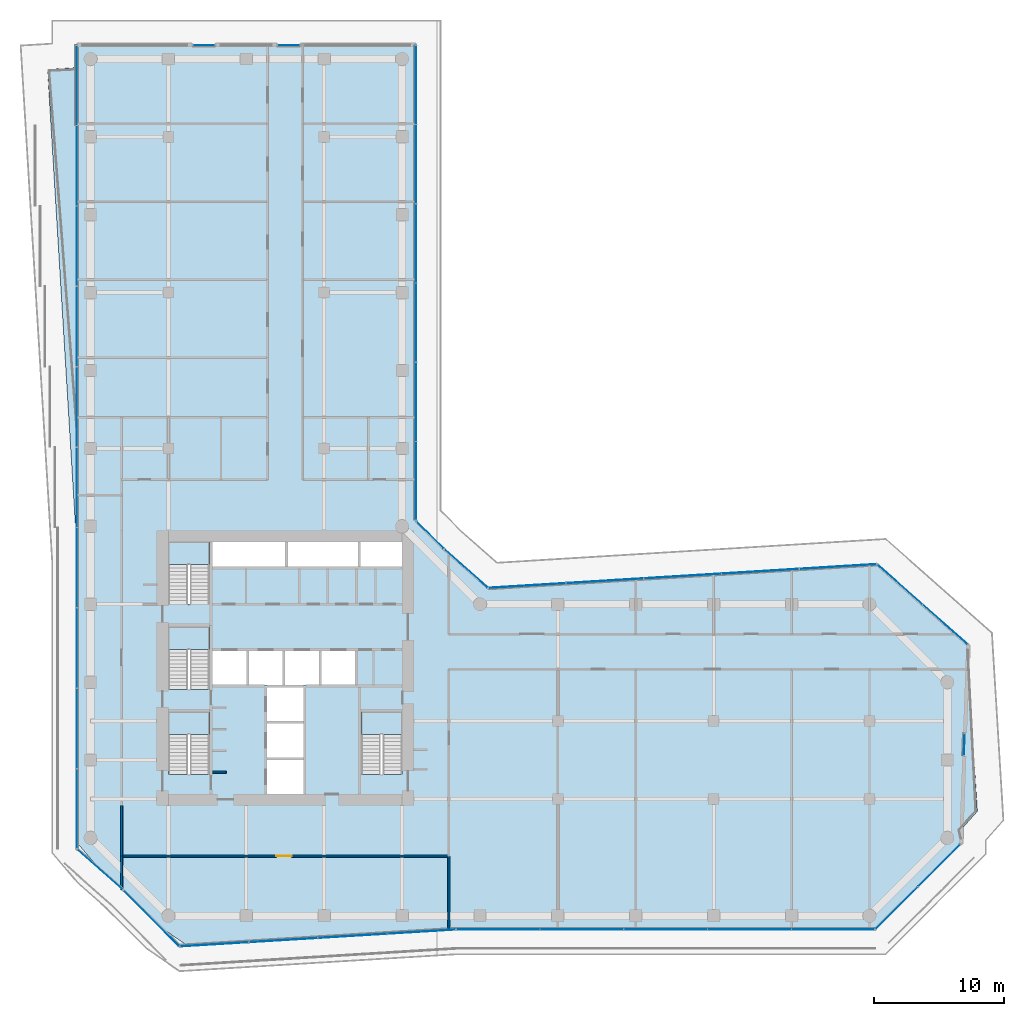
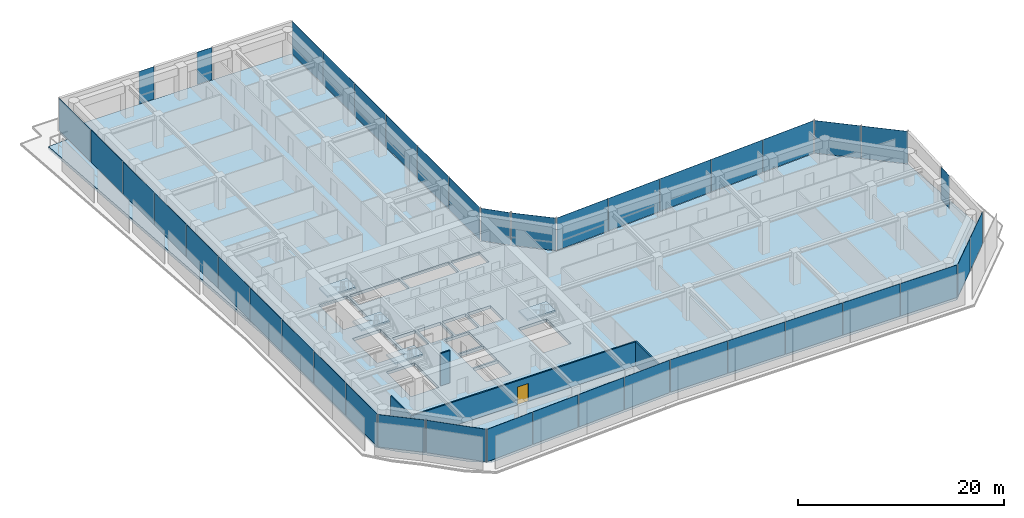
# One storey, part 22 of 29: 41 plates, 5 slabs, 5 walls, 1 door, 1 opening, 18 elements without a shape of their own.
"""IFC4 building model written with IfcOpenShell, lengths in metres."""

from ifc_helpers import new_model, si_unit, direction, frame, frame_2d, origin, origin_2d, place, context, subcontext, project, spatial, polyline, rectangle, outline, extrude, material, layer, layer_set, type_object, element, fill, aggregate, save


model = new_model("IFC4")

# Units and contexts
model_context = context("Model", 3, precision=1e-05, world=origin(), true_north=direction((0.0, 1.0)))
body_context = subcontext(model_context, "Body", "Model", "MODEL_VIEW")
ifc_project = project(units=[si_unit("LENGTHUNIT", "METRE"), si_unit("AREAUNIT", "SQUARE_METRE"), si_unit("VOLUMEUNIT", "CUBIC_METRE"), si_unit("PLANEANGLEUNIT", "RADIAN"), si_unit("MASSUNIT", "GRAM", prefix="KILO")], contexts=[model_context])

# Site, building, storey
site_placement = place(None, origin())
site = spatial("IfcSite", under=ifc_project, at=site_placement, CompositionType="ELEMENT")
building_placement = place(site_placement, origin())
building = spatial("IfcBuilding", under=site, at=building_placement, Name="Welwitschia Terrace Campus", CompositionType="ELEMENT")
storey_placement = place(building_placement, frame((0.0, 0.0, 66.800048828125)))
storey = spatial("IfcBuildingStorey", under=building, at=storey_placement, Name="L15", CompositionType="ELEMENT", Elevation=66.800048828125)

# Curtain wall, plate
ifc_material_1 = material(Name="Bronze anodised aluminium", Category="aluminium")
ifc_layer_1 = layer(ifc_material_1, 0.1201171875)
ifc_layer_set_1 = layer_set([ifc_layer_1], Name="Bronze anodised aluminium")
curtain_wall_type = type_object("IfcCurtainWallType", Name="Curtain wall CW2 tower 6000", PredefinedType="NOTDEFINED", material=ifc_layer_set_1)
curtain_wall_1_placement = place(storey_placement, origin())
curtain_wall_1 = element("IfcCurtainWall", 1, at=curtain_wall_1_placement, inside=storey, type_object=curtain_wall_type, Name="CW L15.0.0", PredefinedType="NOTDEFINED")
ifc_material_2 = material(Name="Tinted bronze-grey glass", Category="glass")
ifc_layer_2 = layer(ifc_material_2, 0.028076171875)
ifc_layer_set_2 = layer_set([ifc_layer_2], Name="Tinted bronze-grey glass")
plate_type = type_object("IfcPlateType", Name="Glass panel 28 tinted", PredefinedType="CURTAIN_PANEL", material=ifc_layer_set_2)
plate_1_placement = place(storey_placement, frame((0.732666015625, -0.435302734375, 0.0), z_axis=(0.0, 0.0, 1.0), x_axis=(0.748955720789, -0.662620048216, 0.0)))
plate_1 = element("IfcPlate", 2, at=plate_1_placement, type_object=plate_type, Name="Panel L15.0.0.0", PredefinedType="CURTAIN_PANEL", context=body_context, shape_type="SweptSolid", body=[
    extrude(rectangle(XDim=4.661865234375, YDim=0.028076171875, at=origin_2d()), origin(), (0.0, 0.0, 1.0), 3.85009765625),
])
aggregate(curtain_wall_1, [plate_1])

curtain_wall_2_placement = place(storey_placement, origin())
curtain_wall_2 = element("IfcCurtainWall", 3, at=curtain_wall_2_placement, inside=storey, type_object=curtain_wall_type, Name="CW L15.1.0", PredefinedType="NOTDEFINED")
plate_2_placement = place(storey_placement, frame((4.694091796875, -4.190185546875, 0.0), z_axis=(0.0, 0.0, 1.0), x_axis=(0.707106781187, -0.707106781187, 0.0)))
plate_2 = element("IfcPlate", 4, at=plate_2_placement, type_object=plate_type, Name="Panel L15.1.0.0", PredefinedType="CURTAIN_PANEL", context=body_context, shape_type="SweptSolid", body=[
    extrude(rectangle(XDim=6.019287109375, YDim=0.028076171875, at=origin_2d()), origin(), (0.0, 0.0, 1.0), 3.85009765625),
])
aggregate(curtain_wall_2, [plate_2])

# Curtain wall, plates
curtain_wall_3_placement = place(storey_placement, origin())
curtain_wall_3 = element("IfcCurtainWall", 5, at=curtain_wall_3_placement, inside=storey, type_object=curtain_wall_type, Name="CW L15.2.0", PredefinedType="NOTDEFINED")
plate_3_placement = place(storey_placement, frame((9.5419921875, -6.197021484375, 0.0), z_axis=(0.0, 0.0, 1.0), x_axis=(0.998134798422, 0.061048539535, 0.0)))
plate_3 = element("IfcPlate", 6, at=plate_3_placement, type_object=plate_type, Name="Panel L15.2.0.0", PredefinedType="CURTAIN_PANEL", context=body_context, shape_type="SweptSolid", body=[
    extrude(rectangle(XDim=5.2451171875, YDim=0.028076171875, at=origin_2d()), origin(), (0.0, 0.0, 1.0), 3.85009765625),
])
plate_4_placement = place(storey_placement, frame((14.852294921875, -5.872314453125, 0.0), z_axis=(0.0, 0.0, 1.0), x_axis=(0.998134798422, 0.061048539535, 0.0)))
plate_4 = element("IfcPlate", 7, at=plate_4_placement, type_object=plate_type, Name="Panel L15.2.0.1", PredefinedType="CURTAIN_PANEL", context=body_context, shape_type="SweptSolid", body=[
    extrude(rectangle(XDim=5.275146484375, YDim=0.028076171875, at=origin_2d()), origin(), (0.0, 0.0, 1.0), 3.85009765625),
])
plate_5_placement = place(storey_placement, frame((20.17724609375, -5.546630859375, 0.0), z_axis=(0.0, 0.0, 1.0), x_axis=(0.998134798422, 0.061048539535, 0.0)))
plate_5 = element("IfcPlate", 8, at=plate_5_placement, type_object=plate_type, Name="Panel L15.2.0.2", PredefinedType="CURTAIN_PANEL", context=body_context, shape_type="SweptSolid", body=[
    extrude(rectangle(XDim=5.275146484375, YDim=0.028076171875, at=origin_2d()), origin(), (0.0, 0.0, 1.0), 3.85009765625),
])
plate_6_placement = place(storey_placement, frame((25.487548828125, -5.2216796875, 0.0), z_axis=(0.0, 0.0, 1.0), x_axis=(0.998134798422, 0.061048539535, 0.0)))
plate_6 = element("IfcPlate", 9, at=plate_6_placement, type_object=plate_type, Name="Panel L15.2.0.3", PredefinedType="CURTAIN_PANEL", context=body_context, shape_type="SweptSolid", body=[
    extrude(rectangle(XDim=5.2451171875, YDim=0.028076171875, at=origin_2d()), origin(), (0.0, 0.0, 1.0), 3.85009765625),
])
aggregate(curtain_wall_3, [plate_3, plate_4, plate_5, plate_6])

curtain_wall_4_placement = place(storey_placement, origin())
curtain_wall_4 = element("IfcCurtainWall", 10, at=curtain_wall_4_placement, inside=storey, type_object=curtain_wall_type, Name="CW L15.3.0", PredefinedType="NOTDEFINED")
plate_7_placement = place(storey_placement, frame((31.4072265625, -5.05810546875, 0.0), z_axis=(0.0, 0.0, 1.0), x_axis=(1.0, 0.0, 0.0)))
plate_7 = element("IfcPlate", 11, at=plate_7_placement, type_object=plate_type, Name="Panel L15.3.0.0", PredefinedType="CURTAIN_PANEL", context=body_context, shape_type="SweptSolid", body=[
    extrude(rectangle(XDim=6.36474609375, YDim=0.028076171875, at=origin_2d()), origin(), (0.0, 0.0, 1.0), 3.85009765625),
])
plate_8_placement = place(storey_placement, frame((37.846923828125, -5.05810546875, 0.0), z_axis=(0.0, 0.0, 1.0), x_axis=(1.0, 0.0, 0.0)))
plate_8 = element("IfcPlate", 12, at=plate_8_placement, type_object=plate_type, Name="Panel L15.3.0.1", PredefinedType="CURTAIN_PANEL", context=body_context, shape_type="SweptSolid", body=[
    extrude(rectangle(XDim=6.39453125, YDim=0.028076171875, at=origin_2d()), origin(), (0.0, 0.0, 1.0), 3.85009765625),
])
plate_9_placement = place(storey_placement, frame((44.301513671875, -5.05810546875, 0.0), z_axis=(0.0, 0.0, 1.0), x_axis=(1.0, 0.0, 0.0)))
plate_9 = element("IfcPlate", 13, at=plate_9_placement, type_object=plate_type, Name="Panel L15.3.0.2", PredefinedType="CURTAIN_PANEL", context=body_context, shape_type="SweptSolid", body=[
    extrude(rectangle(XDim=6.39453125, YDim=0.028076171875, at=origin_2d()), origin(), (0.0, 0.0, 1.0), 3.85009765625),
])
plate_10_placement = place(storey_placement, frame((50.75634765625, -5.05810546875, 0.0), z_axis=(0.0, 0.0, 1.0), x_axis=(1.0, 0.0, 0.0)))
plate_10 = element("IfcPlate", 14, at=plate_10_placement, type_object=plate_type, Name="Panel L15.3.0.3", PredefinedType="CURTAIN_PANEL", context=body_context, shape_type="SweptSolid", body=[
    extrude(rectangle(XDim=6.39453125, YDim=0.028076171875, at=origin_2d()), origin(), (0.0, 0.0, 1.0), 3.85009765625),
])
plate_11_placement = place(storey_placement, frame((57.19580078125, -5.05810546875, 0.0), z_axis=(0.0, 0.0, 1.0), x_axis=(1.0, 0.0, 0.0)))
plate_11 = element("IfcPlate", 15, at=plate_11_placement, type_object=plate_type, Name="Panel L15.3.0.4", PredefinedType="CURTAIN_PANEL", context=body_context, shape_type="SweptSolid", body=[
    extrude(rectangle(XDim=6.36474609375, YDim=0.028076171875, at=origin_2d()), origin(), (0.0, 0.0, 1.0), 3.85009765625),
])
aggregate(curtain_wall_4, [plate_7, plate_8, plate_9, plate_10, plate_11])

curtain_wall_5_placement = place(storey_placement, origin())
curtain_wall_5 = element("IfcCurtainWall", 16, at=curtain_wall_5_placement, inside=storey, type_object=curtain_wall_type, Name="CW L15.4.0", PredefinedType="NOTDEFINED")
plate_12_placement = place(storey_placement, frame((62.094482421875, -3.40185546875, 0.0), z_axis=(0.0, 0.0, 1.0), x_axis=(0.707106781187, 0.707106781187, 0.0)))
plate_12 = element("IfcPlate", 17, at=plate_12_placement, type_object=plate_type, Name="Panel L15.4.0.0", PredefinedType="CURTAIN_PANEL", context=body_context, shape_type="SweptSolid", body=[
    extrude(rectangle(XDim=4.564208984375, YDim=0.028076171875, at=origin_2d()), origin(), (0.0, 0.0, 1.0), 3.85009765625),
])
plate_13_placement = place(storey_placement, frame((65.3642578125, -0.132080078125, 0.0), z_axis=(0.0, 0.0, 1.0), x_axis=(0.707106781187, 0.707106781187, 0.0)))
plate_13 = element("IfcPlate", 18, at=plate_13_placement, type_object=plate_type, Name="Panel L15.4.0.1", PredefinedType="CURTAIN_PANEL", context=body_context, shape_type="SweptSolid", body=[
    extrude(rectangle(XDim=4.564208984375, YDim=0.028076171875, at=origin_2d()), origin(), (0.0, 0.0, 1.0), 3.85009765625),
])
aggregate(curtain_wall_5, [plate_12, plate_13])

# Curtain wall, plate
curtain_wall_6_placement = place(storey_placement, origin())
curtain_wall_6 = element("IfcCurtainWall", 19, at=curtain_wall_6_placement, inside=storey, type_object=curtain_wall_type, Name="CW L15.5.S0", PredefinedType="NOTDEFINED")
plate_14_placement = place(storey_placement, frame((67.302734375, 9.204833984375, 0.0), z_axis=(0.0, 0.0, 1.0), x_axis=(0.036728896275, 0.999325266457, 0.0)))
plate_14 = element("IfcPlate", 20, at=plate_14_placement, type_object=plate_type, Name="Panel L15.5.S0.0", PredefinedType="CURTAIN_PANEL", context=body_context, shape_type="SweptSolid", body=[
    extrude(rectangle(XDim=1.679931640625, YDim=0.028076171875, at=origin_2d()), origin(), (0.0, 0.0, 1.0), 3.85009765625),
])
aggregate(curtain_wall_6, [plate_14])

# Curtain wall, plates
curtain_wall_7_placement = place(storey_placement, origin())
curtain_wall_7 = element("IfcCurtainWall", 21, at=curtain_wall_7_placement, inside=storey, type_object=curtain_wall_type, Name="CW L15.6.0", PredefinedType="NOTDEFINED")
plate_15_placement = place(storey_placement, frame((65.82080078125, 18.446533203125, 0.0), z_axis=(0.0, 0.0, 1.0), x_axis=(-0.748955720789, 0.662620048216, 0.0)))
plate_15 = element("IfcPlate", 22, at=plate_15_placement, type_object=plate_type, Name="Panel L15.6.0.0", PredefinedType="CURTAIN_PANEL", context=body_context, shape_type="SweptSolid", body=[
    extrude(rectangle(XDim=4.5908203125, YDim=0.028076171875, at=origin_2d()), origin(), (0.0, 0.0, 1.0), 3.85009765625),
])
plate_16_placement = place(storey_placement, frame((62.33740234375, 21.5283203125, 0.0), z_axis=(0.0, 0.0, 1.0), x_axis=(-0.748955720789, 0.662620048216, 0.0)))
plate_16 = element("IfcPlate", 23, at=plate_16_placement, type_object=plate_type, Name="Panel L15.6.0.1", PredefinedType="CURTAIN_PANEL", context=body_context, shape_type="SweptSolid", body=[
    extrude(rectangle(XDim=4.5908203125, YDim=0.028076171875, at=origin_2d()), origin(), (0.0, 0.0, 1.0), 3.85009765625),
])
aggregate(curtain_wall_7, [plate_15, plate_16])

curtain_wall_8_placement = place(storey_placement, origin())
curtain_wall_8 = element("IfcCurtainWall", 24, at=curtain_wall_8_placement, inside=storey, type_object=curtain_wall_type, Name="CW L15.7.0", PredefinedType="NOTDEFINED")
plate_17_placement = place(storey_placement, frame((57.56396484375, 22.905029296875, 0.0), z_axis=(0.0, 0.0, 1.0), x_axis=(-0.998134798422, -0.061048539535, 0.0)))
plate_17 = element("IfcPlate", 25, at=plate_17_placement, type_object=plate_type, Name="Panel L15.7.0.0", PredefinedType="CURTAIN_PANEL", context=body_context, shape_type="SweptSolid", body=[
    extrude(rectangle(XDim=5.909912109375, YDim=0.028076171875, at=origin_2d()), origin(), (0.0, 0.0, 1.0), 3.85009765625),
])
plate_18_placement = place(storey_placement, frame((51.590087890625, 22.53955078125, 0.0), z_axis=(0.0, 0.0, 1.0), x_axis=(-0.998134798422, -0.061048539535, 0.0)))
plate_18 = element("IfcPlate", 26, at=plate_18_placement, type_object=plate_type, Name="Panel L15.7.0.1", PredefinedType="CURTAIN_PANEL", context=body_context, shape_type="SweptSolid", body=[
    extrude(rectangle(XDim=5.93994140625, YDim=0.028076171875, at=origin_2d()), origin(), (0.0, 0.0, 1.0), 3.85009765625),
])
plate_19_placement = place(storey_placement, frame((45.601318359375, 22.17333984375, 0.0), z_axis=(0.0, 0.0, 1.0), x_axis=(-0.998134798422, -0.061048539535, 0.0)))
plate_19 = element("IfcPlate", 27, at=plate_19_placement, type_object=plate_type, Name="Panel L15.7.0.2", PredefinedType="CURTAIN_PANEL", context=body_context, shape_type="SweptSolid", body=[
    extrude(rectangle(XDim=5.93994140625, YDim=0.028076171875, at=origin_2d()), origin(), (0.0, 0.0, 1.0), 3.85009765625),
])
plate_20_placement = place(storey_placement, frame((39.612548828125, 21.806884765625, 0.0), z_axis=(0.0, 0.0, 1.0), x_axis=(-0.998134798422, -0.061048539535, 0.0)))
plate_20 = element("IfcPlate", 28, at=plate_20_placement, type_object=plate_type, Name="Panel L15.7.0.3", PredefinedType="CURTAIN_PANEL", context=body_context, shape_type="SweptSolid", body=[
    extrude(rectangle(XDim=5.93994140625, YDim=0.028076171875, at=origin_2d()), origin(), (0.0, 0.0, 1.0), 3.85009765625),
])
plate_21_placement = place(storey_placement, frame((33.638671875, 21.441650390625, 0.0), z_axis=(0.0, 0.0, 1.0), x_axis=(-0.998134798422, -0.061048539535, 0.0)))
plate_21 = element("IfcPlate", 29, at=plate_21_placement, type_object=plate_type, Name="Panel L15.7.0.4", PredefinedType="CURTAIN_PANEL", context=body_context, shape_type="SweptSolid", body=[
    extrude(rectangle(XDim=5.909912109375, YDim=0.028076171875, at=origin_2d()), origin(), (0.0, 0.0, 1.0), 3.85009765625),
])
aggregate(curtain_wall_8, [plate_17, plate_18, plate_19, plate_20, plate_21])

# Curtain wall, plate
curtain_wall_9_placement = place(storey_placement, origin())
curtain_wall_9 = element("IfcCurtainWall", 30, at=curtain_wall_9_placement, inside=storey, type_object=curtain_wall_type, Name="CW L15.8.0", PredefinedType="NOTDEFINED")
plate_22_placement = place(storey_placement, frame((28.93505859375, 22.756591796875, 0.0), z_axis=(0.0, 0.0, 1.0), x_axis=(-0.748955720789, 0.662620048216, 0.0)))
plate_22 = element("IfcPlate", 31, at=plate_22_placement, type_object=plate_type, Name="Panel L15.8.0.0", PredefinedType="CURTAIN_PANEL", context=body_context, shape_type="SweptSolid", body=[
    extrude(rectangle(XDim=4.404541015625, YDim=0.028076171875, at=origin_2d()), origin(), (0.0, 0.0, 1.0), 3.85009765625),
])
aggregate(curtain_wall_9, [plate_22])

curtain_wall_10_placement = place(storey_placement, origin())
curtain_wall_10 = element("IfcCurtainWall", 32, at=curtain_wall_10_placement, inside=storey, type_object=curtain_wall_type, Name="CW L15.9.0", PredefinedType="NOTDEFINED")
plate_23_placement = place(storey_placement, frame((26.1494140625, 25.346923828125, 0.0), z_axis=(0.0, 0.0, 1.0), x_axis=(-0.707106781187, 0.707106781187, 0.0)))
plate_23 = element("IfcPlate", 33, at=plate_23_placement, type_object=plate_type, Name="Panel L15.9.0.0", PredefinedType="CURTAIN_PANEL", context=body_context, shape_type="SweptSolid", body=[
    extrude(rectangle(XDim=2.966796875, YDim=0.028076171875, at=origin_2d()), origin(), (0.0, 0.0, 1.0), 3.85009765625),
])
aggregate(curtain_wall_10, [plate_23])

# Curtain wall, plates
curtain_wall_11_placement = place(storey_placement, origin())
curtain_wall_11 = element("IfcCurtainWall", 34, at=curtain_wall_11_placement, inside=storey, type_object=curtain_wall_type, Name="CW L15.10.0", PredefinedType="NOTDEFINED")
plate_24_placement = place(storey_placement, frame((25.05810546875, 29.5048828125, 0.0), z_axis=(0.0, 0.0, 1.0), x_axis=(0.0, 1.0, 0.0)))
plate_24 = element("IfcPlate", 35, at=plate_24_placement, type_object=plate_type, Name="Panel L15.10.0.0", PredefinedType="CURTAIN_PANEL", context=body_context, shape_type="SweptSolid", body=[
    extrude(rectangle(XDim=6.01318359375, YDim=0.028076171875, at=origin_2d()), origin(), (0.0, 0.0, 1.0), 3.85009765625),
])
plate_25_placement = place(storey_placement, frame((25.05810546875, 35.59326171875, 0.0), z_axis=(0.0, 0.0, 1.0), x_axis=(0.0, 1.0, 0.0)))
plate_25 = element("IfcPlate", 36, at=plate_25_placement, type_object=plate_type, Name="Panel L15.10.0.1", PredefinedType="CURTAIN_PANEL", context=body_context, shape_type="SweptSolid", body=[
    extrude(rectangle(XDim=6.043212890625, YDim=0.028076171875, at=origin_2d()), origin(), (0.0, 0.0, 1.0), 3.85009765625),
])
plate_26_placement = place(storey_placement, frame((25.05810546875, 41.696533203125, 0.0), z_axis=(0.0, 0.0, 1.0), x_axis=(0.0, 1.0, 0.0)))
plate_26 = element("IfcPlate", 37, at=plate_26_placement, type_object=plate_type, Name="Panel L15.10.0.2", PredefinedType="CURTAIN_PANEL", context=body_context, shape_type="SweptSolid", body=[
    extrude(rectangle(XDim=6.043212890625, YDim=0.028076171875, at=origin_2d()), origin(), (0.0, 0.0, 1.0), 3.85009765625),
])
plate_27_placement = place(storey_placement, frame((25.05810546875, 47.7998046875, 0.0), z_axis=(0.0, 0.0, 1.0), x_axis=(0.0, 1.0, 0.0)))
plate_27 = element("IfcPlate", 38, at=plate_27_placement, type_object=plate_type, Name="Panel L15.10.0.3", PredefinedType="CURTAIN_PANEL", context=body_context, shape_type="SweptSolid", body=[
    extrude(rectangle(XDim=6.043212890625, YDim=0.028076171875, at=origin_2d()), origin(), (0.0, 0.0, 1.0), 3.85009765625),
])
plate_28_placement = place(storey_placement, frame((25.05810546875, 53.903076171875, 0.0), z_axis=(0.0, 0.0, 1.0), x_axis=(0.0, 1.0, 0.0)))
plate_28 = element("IfcPlate", 39, at=plate_28_placement, type_object=plate_type, Name="Panel L15.10.0.4", PredefinedType="CURTAIN_PANEL", context=body_context, shape_type="SweptSolid", body=[
    extrude(rectangle(XDim=6.043212890625, YDim=0.028076171875, at=origin_2d()), origin(), (0.0, 0.0, 1.0), 3.85009765625),
])
plate_29_placement = place(storey_placement, frame((25.05810546875, 59.991455078125, 0.0), z_axis=(0.0, 0.0, 1.0), x_axis=(0.0, 1.0, 0.0)))
plate_29 = element("IfcPlate", 40, at=plate_29_placement, type_object=plate_type, Name="Panel L15.10.0.5", PredefinedType="CURTAIN_PANEL", context=body_context, shape_type="SweptSolid", body=[
    extrude(rectangle(XDim=6.01318359375, YDim=0.028076171875, at=origin_2d()), origin(), (0.0, 0.0, 1.0), 3.85009765625),
])
aggregate(curtain_wall_11, [plate_24, plate_25, plate_26, plate_27, plate_28, plate_29])

# Curtain wall, plate
curtain_wall_12_placement = place(storey_placement, origin())
curtain_wall_12 = element("IfcCurtainWall", 41, at=curtain_wall_12_placement, inside=storey, type_object=curtain_wall_type, Name="CW L15.11.S0", PredefinedType="NOTDEFINED")
plate_30_placement = place(storey_placement, frame((15.264404296875, 63.05810546875, 0.0), z_axis=(0.0, 0.0, 1.0), x_axis=(-1.0, 0.0, 0.0)))
plate_30 = element("IfcPlate", 42, at=plate_30_placement, type_object=plate_type, Name="Panel L15.11.S0.0", PredefinedType="CURTAIN_PANEL", context=body_context, shape_type="SweptSolid", body=[
    extrude(rectangle(XDim=1.679931640625, YDim=0.028076171875, at=origin_2d()), origin(), (0.0, 0.0, 1.0), 3.85009765625),
])
aggregate(curtain_wall_12, [plate_30])

curtain_wall_13_placement = place(storey_placement, origin())
curtain_wall_13 = element("IfcCurtainWall", 43, at=curtain_wall_13_placement, inside=storey, type_object=curtain_wall_type, Name="CW L15.11.S1", PredefinedType="NOTDEFINED")
plate_31_placement = place(storey_placement, frame((8.735595703125, 63.05810546875, 0.0), z_axis=(0.0, 0.0, 1.0), x_axis=(-1.0, 0.0, 0.0)))
plate_31 = element("IfcPlate", 44, at=plate_31_placement, type_object=plate_type, Name="Panel L15.11.S1.0", PredefinedType="CURTAIN_PANEL", context=body_context, shape_type="SweptSolid", body=[
    extrude(rectangle(XDim=1.679931640625, YDim=0.028076171875, at=origin_2d()), origin(), (0.0, 0.0, 1.0), 3.85009765625),
])
aggregate(curtain_wall_13, [plate_31])

# Curtain wall, plates
curtain_wall_14_placement = place(storey_placement, origin())
curtain_wall_14 = element("IfcCurtainWall", 45, at=curtain_wall_14_placement, inside=storey, type_object=curtain_wall_type, Name="CW L15.12.0", PredefinedType="NOTDEFINED")
plate_32_placement = place(storey_placement, frame((-1.05810546875, 59.947509765625, 0.0), z_axis=(0.0, 0.0, 1.0), x_axis=(0.0, -1.0, 0.0)))
plate_32 = element("IfcPlate", 46, at=plate_32_placement, type_object=plate_type, Name="Panel L15.12.0.0", PredefinedType="CURTAIN_PANEL", context=body_context, shape_type="SweptSolid", body=[
    extrude(rectangle(XDim=6.100830078125, YDim=0.028076171875, at=origin_2d()), origin(), (0.0, 0.0, 1.0), 3.85009765625),
])
plate_33_placement = place(storey_placement, frame((-1.05810546875, 53.771728515625, 0.0), z_axis=(0.0, 0.0, 1.0), x_axis=(0.0, -1.0, 0.0)))
plate_33 = element("IfcPlate", 47, at=plate_33_placement, type_object=plate_type, Name="Panel L15.12.0.1", PredefinedType="CURTAIN_PANEL", context=body_context, shape_type="SweptSolid", body=[
    extrude(rectangle(XDim=6.130859375, YDim=0.028076171875, at=origin_2d()), origin(), (0.0, 0.0, 1.0), 3.85009765625),
])
plate_34_placement = place(storey_placement, frame((-1.05810546875, 47.580810546875, 0.0), z_axis=(0.0, 0.0, 1.0), x_axis=(0.0, -1.0, 0.0)))
plate_34 = element("IfcPlate", 48, at=plate_34_placement, type_object=plate_type, Name="Panel L15.12.0.2", PredefinedType="CURTAIN_PANEL", context=body_context, shape_type="SweptSolid", body=[
    extrude(rectangle(XDim=6.130859375, YDim=0.028076171875, at=origin_2d()), origin(), (0.0, 0.0, 1.0), 3.85009765625),
])
plate_35_placement = place(storey_placement, frame((-1.05810546875, 41.389892578125, 0.0), z_axis=(0.0, 0.0, 1.0), x_axis=(0.0, -1.0, 0.0)))
plate_35 = element("IfcPlate", 49, at=plate_35_placement, type_object=plate_type, Name="Panel L15.12.0.3", PredefinedType="CURTAIN_PANEL", context=body_context, shape_type="SweptSolid", body=[
    extrude(rectangle(XDim=6.130859375, YDim=0.028076171875, at=origin_2d()), origin(), (0.0, 0.0, 1.0), 3.85009765625),
])
plate_36_placement = place(storey_placement, frame((-1.05810546875, 35.198974609375, 0.0), z_axis=(0.0, 0.0, 1.0), x_axis=(0.0, -1.0, 0.0)))
plate_36 = element("IfcPlate", 50, at=plate_36_placement, type_object=plate_type, Name="Panel L15.12.0.4", PredefinedType="CURTAIN_PANEL", context=body_context, shape_type="SweptSolid", body=[
    extrude(rectangle(XDim=6.130859375, YDim=0.028076171875, at=origin_2d()), origin(), (0.0, 0.0, 1.0), 3.85009765625),
])
plate_37_placement = place(storey_placement, frame((-1.05810546875, 29.008056640625, 0.0), z_axis=(0.0, 0.0, 1.0), x_axis=(0.0, -1.0, 0.0)))
plate_37 = element("IfcPlate", 51, at=plate_37_placement, type_object=plate_type, Name="Panel L15.12.0.5", PredefinedType="CURTAIN_PANEL", context=body_context, shape_type="SweptSolid", body=[
    extrude(rectangle(XDim=6.130859375, YDim=0.028076171875, at=origin_2d()), origin(), (0.0, 0.0, 1.0), 3.85009765625),
])
plate_38_placement = place(storey_placement, frame((-1.05810546875, 22.817138671875, 0.0), z_axis=(0.0, 0.0, 1.0), x_axis=(0.0, -1.0, 0.0)))
plate_38 = element("IfcPlate", 52, at=plate_38_placement, type_object=plate_type, Name="Panel L15.12.0.6", PredefinedType="CURTAIN_PANEL", context=body_context, shape_type="SweptSolid", body=[
    extrude(rectangle(XDim=6.130859375, YDim=0.028076171875, at=origin_2d()), origin(), (0.0, 0.0, 1.0), 3.85009765625),
])
plate_39_placement = place(storey_placement, frame((-1.05810546875, 16.626220703125, 0.0), z_axis=(0.0, 0.0, 1.0), x_axis=(0.0, -1.0, 0.0)))
plate_39 = element("IfcPlate", 53, at=plate_39_placement, type_object=plate_type, Name="Panel L15.12.0.7", PredefinedType="CURTAIN_PANEL", context=body_context, shape_type="SweptSolid", body=[
    extrude(rectangle(XDim=6.130859375, YDim=0.028076171875, at=origin_2d()), origin(), (0.0, 0.0, 1.0), 3.85009765625),
])
plate_40_placement = place(storey_placement, frame((-1.05810546875, 10.435302734375, 0.0), z_axis=(0.0, 0.0, 1.0), x_axis=(0.0, -1.0, 0.0)))
plate_40 = element("IfcPlate", 54, at=plate_40_placement, type_object=plate_type, Name="Panel L15.12.0.8", PredefinedType="CURTAIN_PANEL", context=body_context, shape_type="SweptSolid", body=[
    extrude(rectangle(XDim=6.130859375, YDim=0.028076171875, at=origin_2d()), origin(), (0.0, 0.0, 1.0), 3.85009765625),
])
plate_41_placement = place(storey_placement, frame((-1.05810546875, 4.25927734375, 0.0), z_axis=(0.0, 0.0, 1.0), x_axis=(0.0, -1.0, 0.0)))
plate_41 = element("IfcPlate", 55, at=plate_41_placement, type_object=plate_type, Name="Panel L15.12.0.9", PredefinedType="CURTAIN_PANEL", context=body_context, shape_type="SweptSolid", body=[
    extrude(rectangle(XDim=6.100830078125, YDim=0.028076171875, at=origin_2d()), origin(), (0.0, 0.0, 1.0), 3.85009765625),
])
aggregate(curtain_wall_14, [plate_32, plate_33, plate_34, plate_35, plate_36, plate_37, plate_38, plate_39, plate_40, plate_41])

# Stair, slab
ifc_material_3 = material(Name="Concrete C40/50", Category="concrete")
stair_type = type_object("IfcStairType", Name="Stair 24R 175 W1500", PredefinedType="HALF_TURN_STAIR", material=ifc_material_3)
stair_1_placement = place(storey_placement, origin())
stair_1 = element("IfcStair", 56, at=stair_1_placement, inside=storey, type_object=stair_type, Name="L15 Exit stair S1", PredefinedType="HALF_TURN_STAIR")
ifc_material_4 = material(Name="Concrete C40/50", Category="concrete")
ifc_layer_3 = layer(ifc_material_4, 0.199951171875)
ifc_layer_set_3 = layer_set([ifc_layer_3], Name="Concrete C40/50")
slab_type_1 = type_object("IfcSlabType", Name="Stair landing RC", PredefinedType="LANDING", material=ifc_layer_set_3)
slab_1_placement = place(storey_placement, frame((0.0, 0.0, 1.89990234375)))
slab_1 = element("IfcSlab", 57, at=slab_1_placement, type_object=slab_type_1, Name="S1 landing 1", PredefinedType="LANDING", context=body_context, shape_type="SweptSolid", body=[
    extrude(outline(polyline([(9.14990234375, 9.97998046875), (9.14990234375, 11.699951171875), (6.0, 11.699951171875), (6.0, 9.97998046875), (9.14990234375, 9.97998046875)])), origin(), (0.0, 0.0, 1.0), 0.199951171875),
])
aggregate(stair_1, [slab_1])

stair_2_placement = place(storey_placement, origin())
stair_2 = element("IfcStair", 58, at=stair_2_placement, inside=storey, type_object=stair_type, Name="L15 Exit stair S3", PredefinedType="HALF_TURN_STAIR")
slab_2_placement = place(storey_placement, frame((0.0, 0.0, 1.89990234375)))
slab_2 = element("IfcSlab", 59, at=slab_2_placement, type_object=slab_type_1, Name="S3 landing 1", PredefinedType="LANDING", context=body_context, shape_type="SweptSolid", body=[
    extrude(outline(polyline([(9.14990234375, 16.530029296875), (9.14990234375, 18.25), (6.0, 18.25), (6.0, 16.530029296875), (9.14990234375, 16.530029296875)])), origin(), (0.0, 0.0, 1.0), 0.199951171875),
])
aggregate(stair_2, [slab_2])

stair_3_placement = place(storey_placement, origin())
stair_3 = element("IfcStair", 60, at=stair_3_placement, inside=storey, type_object=stair_type, Name="L15 Exit stair S4", PredefinedType="HALF_TURN_STAIR")
slab_3_placement = place(storey_placement, frame((0.0, 0.0, 1.89990234375)))
slab_3 = element("IfcSlab", 61, at=slab_3_placement, type_object=slab_type_1, Name="S4 landing 1", PredefinedType="LANDING", context=body_context, shape_type="SweptSolid", body=[
    extrude(outline(polyline([(9.14990234375, 23.080078125), (9.14990234375, 24.800048828125), (6.0, 24.800048828125), (6.0, 23.080078125), (9.14990234375, 23.080078125)])), origin(), (0.0, 0.0, 1.0), 0.199951171875),
])
aggregate(stair_3, [slab_3])

stair_4_placement = place(storey_placement, origin())
stair_4 = element("IfcStair", 62, at=stair_4_placement, inside=storey, type_object=stair_type, Name="L15 Exit stair S2", PredefinedType="HALF_TURN_STAIR")
slab_4_placement = place(storey_placement, frame((0.0, 0.0, 1.89990234375)))
slab_4 = element("IfcSlab", 63, at=slab_4_placement, type_object=slab_type_1, Name="S2 landing 1", PredefinedType="LANDING", context=body_context, shape_type="SweptSolid", body=[
    extrude(outline(polyline([(24.0, 9.97998046875), (24.0, 11.699951171875), (20.85009765625, 11.699951171875), (20.85009765625, 9.97998046875), (24.0, 9.97998046875)])), origin(), (0.0, 0.0, 1.0), 0.199951171875),
])
aggregate(stair_4, [slab_4])

# Slab
ifc_material_5 = material(Name="Concrete C40/50", Category="concrete")
ifc_layer_4 = layer(ifc_material_5, 0.35009765625)
ifc_layer_set_4 = layer_set([ifc_layer_4], Name="Concrete C40/50")
slab_type_2 = type_object("IfcSlabType", Name="Suspended floor slab 350", PredefinedType="FLOOR", material=ifc_layer_set_4)
slab_5_placement = place(storey_placement, frame((0.0, 0.0, -0.35009765625)))
element("IfcSlab", 64, at=slab_5_placement, inside=storey, type_object=slab_type_2, Name="Floor slab L15", PredefinedType="FLOOR", context=body_context, shape_type="SweptSolid", body=[
    extrude(outline(polyline([(-1.0, 23.42138671875), (-3.310791015625, 61.2021484375), (-1.0, 61.34326171875), (-1.0, 63.0), (25.0, 63.0), (25.0, 26.414306640625), (27.200927734375, 24.21337890625), (30.60888671875, 21.1982421875), (60.552978515625, 23.029541015625), (67.528564453125, 16.858154296875), (68.311767578125, 4.0537109375), (67.0, 2.571044921875), (67.0, 1.585693359375), (60.414306640625, -5.0), (28.163330078125, -5.0), (7.4140625, -6.26904296875), (5.585693359375, -5.0), (2.563232421875, -1.977294921875), (0.4384765625, -0.09765625), (-1.0, 1.585693359375), (-1.0, 23.42138671875)]), holes=[polyline([(13.60009765625, 8.0), (13.60009765625, 5.39990234375), (16.39990234375, 5.39990234375), (16.39990234375, 8.0), (13.60009765625, 8.0)]), polyline([(9.14990234375, 11.699951171875), (6.0, 11.699951171875), (6.0, 6.902099609375), (9.14990234375, 6.902099609375), (9.14990234375, 11.699951171875)]), polyline([(12.0, 16.39990234375), (9.39990234375, 16.39990234375), (9.39990234375, 13.800048828125), (12.0, 13.800048828125), (12.0, 16.39990234375)]), polyline([(14.800048828125, 16.39990234375), (12.199951171875, 16.39990234375), (12.199951171875, 13.800048828125), (14.800048828125, 13.800048828125), (14.800048828125, 16.39990234375)]), polyline([(9.14990234375, 18.25), (6.0, 18.25), (6.0, 13.451904296875), (9.14990234375, 13.451904296875), (9.14990234375, 18.25)]), polyline([(9.14990234375, 24.800048828125), (6.0, 24.800048828125), (6.0, 20.001953125), (9.14990234375, 20.001953125), (9.14990234375, 24.800048828125)]), polyline([(15.0, 24.800048828125), (9.39990234375, 24.800048828125), (9.39990234375, 22.89990234375), (15.0, 22.89990234375), (15.0, 24.800048828125)]), polyline([(20.85009765625, 11.699951171875), (20.85009765625, 6.902099609375), (24.0, 6.902099609375), (24.0, 11.699951171875), (20.85009765625, 11.699951171875)]), polyline([(16.39990234375, 10.800048828125), (13.60009765625, 10.800048828125), (13.60009765625, 8.199951171875), (16.39990234375, 8.199951171875), (16.39990234375, 10.800048828125)]), polyline([(16.39990234375, 13.60009765625), (13.60009765625, 13.60009765625), (13.60009765625, 11.0), (16.39990234375, 11.0), (16.39990234375, 13.60009765625)]), polyline([(17.60009765625, 16.39990234375), (15.0, 16.39990234375), (15.0, 13.800048828125), (17.60009765625, 13.800048828125), (17.60009765625, 16.39990234375)]), polyline([(20.39990234375, 16.39990234375), (17.800048828125, 16.39990234375), (17.800048828125, 13.800048828125), (20.39990234375, 13.800048828125), (20.39990234375, 16.39990234375)]), polyline([(20.60009765625, 24.800048828125), (15.199951171875, 24.800048828125), (15.199951171875, 22.89990234375), (20.60009765625, 22.89990234375), (20.60009765625, 24.800048828125)]), polyline([(24.0, 24.800048828125), (20.800048828125, 24.800048828125), (20.800048828125, 22.89990234375), (24.0, 22.89990234375), (24.0, 24.800048828125)])]), origin(), (0.0, 0.0, 1.0), 0.35009765625),
])

# Walls
ifc_material_6 = material(Name="Concrete C50/60", Category="concrete")
ifc_layer_5 = layer(ifc_material_6, 0.14990234375)
ifc_layer_set_5 = layer_set([ifc_layer_5], Name="Concrete C50/60")
wall_type_1 = type_object("IfcWallType", Name="Core wall 150 Concrete C50/60", PredefinedType="SHEAR", material=ifc_layer_set_5)
wall_1_placement = place(storey_placement, frame((9.39990234375, 7.074951171875, 0.0), z_axis=(0.0, 0.0, 1.0), x_axis=(1.0, 0.0, 0.0)))
element("IfcWall", 65, at=wall_1_placement, inside=storey, type_object=wall_type_1, Name="Core wall", PredefinedType="SHEAR", context=body_context, shape_type="SweptSolid", body=[
    extrude(rectangle(XDim=1.050048828125, YDim=0.14990234375, at=frame_2d((0.52490234375, 0.0))), origin(), (0.0, 0.0, 1.0), 3.849853515625),
])
ifc_material_7 = material(Name="Gypsum board on steel studs", Category="steel")
ifc_layer_6 = layer(ifc_material_7, 0.14990234375)
ifc_layer_set_6 = layer_set([ifc_layer_6], Name="Gypsum board on steel studs")
wall_type_2 = type_object("IfcWallType", Name="Corridor partition 150 EI 30", PredefinedType="PARTITIONING", material=ifc_layer_set_6)
wall_2_placement = place(storey_placement, frame((2.39990234375, -1.975830078125, 0.0), z_axis=(0.0, 0.0, 1.0), x_axis=(0.0, 1.0, 0.0)))
element("IfcWall", 66, at=wall_2_placement, inside=storey, type_object=wall_type_2, Name="Partition", PredefinedType="PARTITIONING", context=body_context, shape_type="SweptSolid", body=[
    extrude(rectangle(XDim=2.575927734375, YDim=0.14990234375, at=frame_2d((1.2880859375, 0.0))), origin(), (0.0, 0.0, 1.0), 2.829833984375),
])
wall_3_placement = place(storey_placement, frame((2.39990234375, 0.60009765625, 0.0), z_axis=(0.0, 0.0, 1.0), x_axis=(0.0, 1.0, 0.0)))
element("IfcWall", 67, at=wall_3_placement, inside=storey, type_object=wall_type_2, Name="Partition", PredefinedType="PARTITIONING", context=body_context, shape_type="SweptSolid", body=[
    extrude(rectangle(XDim=3.89990234375, YDim=0.14990234375, at=frame_2d((1.949951171875, 0.0))), origin(), (0.0, 0.0, 1.0), 2.829833984375),
])
wall_4_placement = place(storey_placement, frame((27.60009765625, -5.0400390625, 0.0), z_axis=(0.0, 0.0, 1.0), x_axis=(0.0, 1.0, 0.0)))
element("IfcWall", 68, at=wall_4_placement, inside=storey, type_object=wall_type_2, Name="Partition", PredefinedType="PARTITIONING", context=body_context, shape_type="SweptSolid", body=[
    extrude(rectangle(XDim=5.64013671875, YDim=0.14990234375, at=frame_2d((2.820068359375, 0.0))), origin(), (0.0, 0.0, 1.0), 2.829833984375),
])

# Wall, opening, door
wall_5_placement = place(storey_placement, frame((27.60009765625, 0.60009765625, 0.0), z_axis=(0.0, 0.0, 1.0), x_axis=(-1.0, 0.0, 0.0)))
wall_5 = element("IfcWall", 69, at=wall_5_placement, inside=storey, type_object=wall_type_2, Name="Partition", PredefinedType="PARTITIONING", context=body_context, shape_type="SweptSolid", body=[
    extrude(rectangle(XDim=25.2001953125, YDim=0.14990234375, at=frame_2d((12.60009765625, 0.0))), origin(), (0.0, 0.0, 1.0), 2.829833984375),
])
opening_placement = place(wall_5_placement, frame((12.10009765625, 0.0, 0.0)))
opening = element("IfcOpeningElement", 70, at=opening_placement, cuts=wall_5, Name="Opening DI12", PredefinedType="OPENING", context=body_context, shape_type="SweptSolid", body=[
    extrude(rectangle(XDim=1.199951171875, YDim=2.10009765625, at=frame_2d((0.60009765625, 1.050048828125))), frame((0.0, 0.0849609375, 0.0), z_axis=(0.0, -1.0, 0.0), x_axis=(1.0, 0.0, 0.0)), (0.0, 0.0, 1.0), 0.169921875),
])
ifc_material_8 = material(Name="Timber veneered door", Category="wood")
door_type = type_object("IfcDoorType", Name="Interior door DI12", OperationType="NOTDEFINED", PredefinedType="DOOR", material=ifc_material_8)
door_placement = place(opening_placement, origin())
door = element("IfcDoor", 71, at=door_placement, inside=storey, type_object=door_type, Name="Door L15 348", OperationType="SINGLE_SWING_LEFT", OverallHeight=2.10009765625, OverallWidth=1.199951171875, PredefinedType="DOOR", context=body_context, shape_type="SweptSolid", body=[
    extrude(rectangle(XDim=1.199951171875, YDim=2.10009765625, at=frame_2d((0.60009765625, 1.050048828125))), frame((0.0, 0.02490234375, 0.0), z_axis=(0.0, -1.0, 0.0), x_axis=(1.0, 0.0, 0.0)), (0.0, 0.0, 1.0), 0.050048828125),
])
fill(opening, door)

save(model, "model.ifc")
